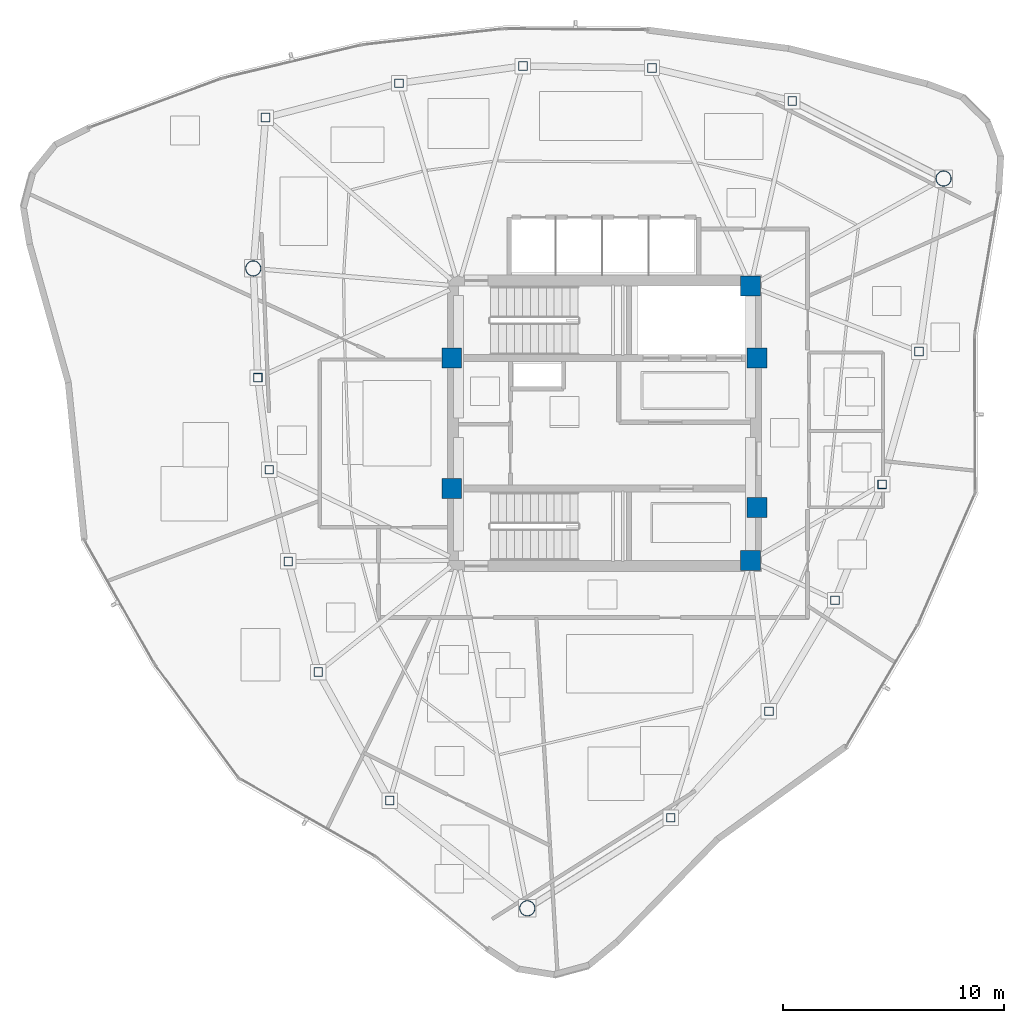
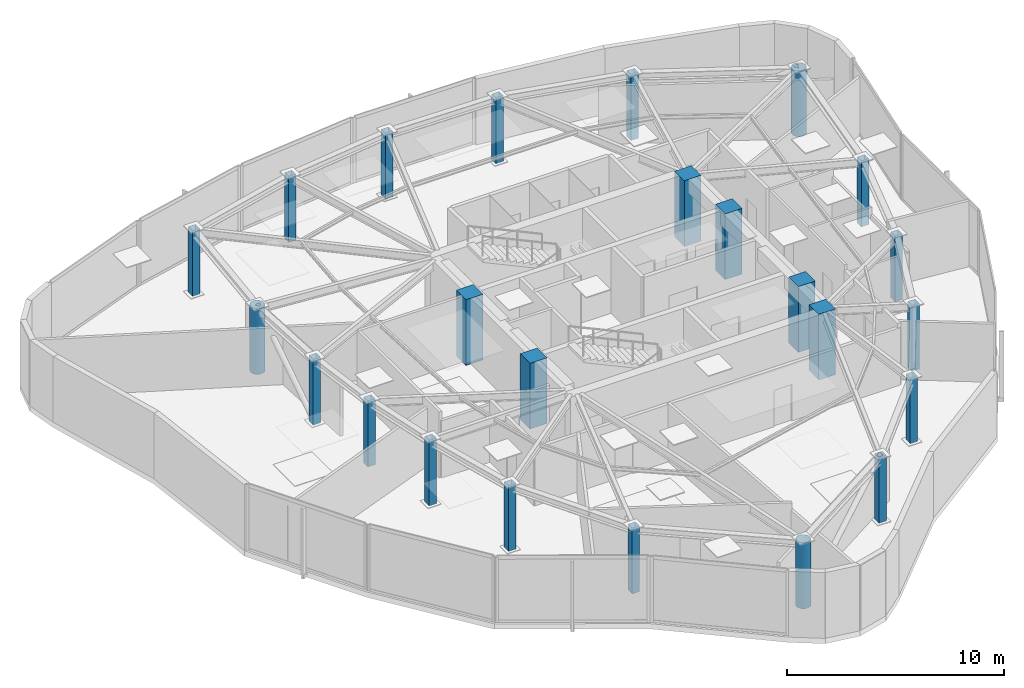
# One storey, part 1 of 11: 24 columns.
"""IFC4 building model written with IfcOpenShell, lengths in metres."""

import ifcopenshell
import ifcopenshell.guid

model = None  # the IFC model being written
_history = None  # IfcOwnerHistory: only IFC2X3 demands one
_inside = {}  # id of a spatial element -> (the spatial element, [elements in it])
_under = {}  # id of a project, library or spatial element -> (it, [spatial elements below it])
_declared = {}  # id of a project -> (the project, [libraries it declares])
_typed = {}  # id of a type object -> (the type object, [elements of that type])
_made_of = {}  # id of a material, layer set ... -> (it, [elements and type objects made of it])


def new_model(schema):
    """Start an empty IFC model of exactly this schema.

    Asked for "IFC4X3", IfcOpenShell would pick the latest addendum, in which some entities
    have other attributes; the version numbers below select the first issue.
    IFC2X3 requires an IfcOwnerHistory on every rooted entity: one is made here for all.
    """
    global model, _history
    if schema == "IFC4X3":
        model = ifcopenshell.file(schema_version=(4, 3, 0, 0))
    else:
        model = ifcopenshell.file(schema=schema)
    _inside.clear()
    _under.clear()
    _declared.clear()
    _typed.clear()
    _made_of.clear()
    _history = None
    if model.schema == "IFC2X3":
        org = make("IfcOrganization", Name="unknown")
        user = make(
            "IfcPersonAndOrganization",
            ThePerson=make("IfcPerson", FamilyName="unknown"),
            TheOrganization=org,
        )
        app = make(
            "IfcApplication",
            ApplicationDeveloper=org,
            Version="unknown",
            ApplicationFullName="unknown",
            ApplicationIdentifier="unknown",
        )
        _history = make(
            "IfcOwnerHistory",
            OwningUser=user,
            OwningApplication=app,
            ChangeAction="ADDED",
            CreationDate=0,
        )
    return model


def make(cls, **values):
    """One entity of the class cls with the attributes given. An attribute that is None is left unset."""
    return model.create_entity(
        cls, **{name: value for name, value in values.items() if value is not None}
    )


def rooted(cls, **values):
    """An entity with a GlobalId (a new one), such as an element, a storey or a relation."""
    return make(cls, GlobalId=ifcopenshell.guid.new(), OwnerHistory=_history, **values)


def si_unit(unit_type, name, prefix=None):
    """IfcSIUnit, for example si_unit("LENGTHUNIT", "METRE", prefix="MILLI")."""
    return make("IfcSIUnit", UnitType=unit_type, Prefix=prefix, Name=name)


def assignment(units):
    """IfcUnitAssignment: the units of a project."""
    return None if units is None else make("IfcUnitAssignment", Units=units)


def point(xyz):
    """IfcCartesianPoint."""
    return None if xyz is None else make("IfcCartesianPoint", Coordinates=xyz)


def direction(xyz):
    """IfcDirection."""
    return None if xyz is None else make("IfcDirection", DirectionRatios=xyz)


def frame(location, z_axis=None, x_axis=None):
    """IfcAxis2Placement3D, a coordinate frame: its origin and axes. An axis left out is left unset."""
    return make(
        "IfcAxis2Placement3D",
        Location=point(location),
        Axis=direction(z_axis),
        RefDirection=direction(x_axis),
    )


def frame_2d(location, x_axis=None):
    """IfcAxis2Placement2D, a coordinate frame in the plane: its origin and x axis."""
    return make(
        "IfcAxis2Placement2D", Location=point(location), RefDirection=direction(x_axis)
    )


def origin():
    """The frame at (0, 0, 0) with its axes left unset."""
    return frame((0.0, 0.0, 0.0))


def origin_2d():
    """The frame at (0, 0) in the plane with its x axis left unset."""
    return frame_2d((0.0, 0.0))


def place(relative_to, where):
    """IfcLocalPlacement: puts the frame where relative to a parent placement (None: the world)."""
    return make(
        "IfcLocalPlacement", PlacementRelTo=relative_to, RelativePlacement=where
    )


def context(
    kind, dimensions, precision=None, world=None, true_north=None, identifier=None
):
    """IfcGeometricRepresentationContext, for example the 3D "Model" context."""
    return make(
        "IfcGeometricRepresentationContext",
        ContextIdentifier=identifier,
        ContextType=kind,
        CoordinateSpaceDimension=dimensions,
        Precision=precision,
        WorldCoordinateSystem=world,
        TrueNorth=true_north,
    )


def subcontext(parent, identifier, kind, view, scale=None):
    """IfcGeometricRepresentationSubContext, for example "Body" below "Model"."""
    return make(
        "IfcGeometricRepresentationSubContext",
        ContextIdentifier=identifier,
        ContextType=kind,
        ParentContext=parent,
        TargetScale=scale,
        TargetView=view,
    )


def project(units=None, contexts=None):
    """IfcProject with its units and contexts."""
    return rooted(
        "IfcProject",
        Name="project",
        RepresentationContexts=contexts,
        UnitsInContext=assignment(units),
    )


def spatial(cls, under=None, at=None, **own):
    """A site, building, storey or space (cls), placed at a placement, below another one or the project."""
    s = rooted(cls, ObjectPlacement=at, **own)
    if under is not None:
        _under.setdefault(under.id(), (under, []))[1].append(s)
    return s


def profile(cls, at=None, kind="AREA", **sizes):
    """A parametric profile (cls). Its sizes go by their IFC names, for example OverallWidth=200.0."""
    return make(cls, ProfileType=kind, Position=at, **sizes)


def rectangle(**sizes):
    """IfcRectangleProfileDef."""
    return profile("IfcRectangleProfileDef", **sizes)


def hollow_rectangle(**sizes):
    """IfcRectangleHollowProfileDef."""
    return profile("IfcRectangleHollowProfileDef", **sizes)


def hollow_circle(**sizes):
    """IfcCircleHollowProfileDef."""
    return profile("IfcCircleHollowProfileDef", **sizes)


def extrude(swept, where, along, depth):
    """IfcExtrudedAreaSolid: the profile swept, set in the frame where, extruded along a direction by depth."""
    return make(
        "IfcExtrudedAreaSolid",
        SweptArea=swept,
        Position=where,
        ExtrudedDirection=direction(along),
        Depth=depth,
    )


def shape(context_of_items, identifier, shape_type, items):
    """IfcShapeRepresentation: the items that make up one representation, for example the "Body"."""
    return make(
        "IfcShapeRepresentation",
        ContextOfItems=context_of_items,
        RepresentationIdentifier=identifier,
        RepresentationType=shape_type,
        Items=items,
    )


def material(Name=None, Category=None):
    """IfcMaterial."""
    return make("IfcMaterial", Name=Name, Category=Category)


def material_profile(
    of_material, cross_section, Name=None, Category=None, Priority=None
):
    """IfcMaterialProfile: a cross section and its material."""
    return make(
        "IfcMaterialProfile",
        Name=Name,
        Material=of_material,
        Profile=cross_section,
        Priority=Priority,
        Category=Category,
    )


def profile_set(profiles, Name=None, composite=None):
    """IfcMaterialProfileSet."""
    return make(
        "IfcMaterialProfileSet",
        Name=Name,
        MaterialProfiles=profiles,
        CompositeProfile=composite,
    )


def made_of(thing, what):
    """Note that an element or type object is made of a material, layer set ...; save() writes the relation."""
    if what is not None:
        _made_of.setdefault(what.id(), (what, []))[1].append(thing)
    return thing


def type_object(cls, material=None, **own):
    """A type object (cls), such as IfcWallType, which elements share."""
    return made_of(rooted(cls, **own), material)


def element(
    cls,
    number,
    at=None,
    inside=None,
    cuts=None,
    type_object=None,
    material=None,
    context=None,
    identifier="Body",
    shape_type=None,
    held_by="IfcProductDefinitionShape",
    body=None,
    shapes=None,
    **own,
):
    """One element of the class cls, such as IfcWall. Its Tag is "e" and its number.

    at: its placement. inside: the storey or other place that contains it. cuts: it is an
    opening in that element (IfcRelVoidsElement). A single representation is given by context,
    identifier, shape_type and body (its items); several are given by shapes. held_by: the class
    of the entity that holds the representations. save() writes the other relations.
    """
    e = rooted(cls, Tag="e%d" % number, ObjectPlacement=at, **own)
    if body is not None:
        shapes = [shape(context, identifier, shape_type, body)]
    if shapes is not None:
        e.Representation = make(held_by, Representations=shapes)
    if inside is not None:
        _inside.setdefault(inside.id(), (inside, []))[1].append(e)
    if cuts is not None:
        rooted(
            "IfcRelVoidsElement", RelatingBuildingElement=cuts, RelatedOpeningElement=e
        )
    if type_object is not None:
        _typed.setdefault(type_object.id(), (type_object, []))[1].append(e)
    return made_of(e, material)


def aggregate(whole, parts):
    """IfcRelAggregates: a whole, such as a stair, and the parts it consists of."""
    return rooted("IfcRelAggregates", RelatingObject=whole, RelatedObjects=parts)


def save(model, path):
    """Write the relations noted so far, then the file.

    IfcRelAggregates (storeys below a building ...), IfcRelContainedInSpatialStructure (elements
    in a storey), IfcRelDefinesByType, IfcRelAssociatesMaterial and IfcRelDeclares: one each for
    every whole, place, type object, material and project.
    """
    for whole, parts in _under.values():
        aggregate(whole, parts)
    for where, things in _inside.values():
        rooted(
            "IfcRelContainedInSpatialStructure",
            RelatedElements=things,
            RelatingStructure=where,
        )
    for kind, things in _typed.values():
        rooted("IfcRelDefinesByType", RelatedObjects=things, RelatingType=kind)
    for what, things in _made_of.values():
        rooted("IfcRelAssociatesMaterial", RelatedObjects=things, RelatingMaterial=what)
    for by, libraries in _declared.values():
        rooted("IfcRelDeclares", RelatingContext=by, RelatedDefinitions=libraries)
    model.write(path)


model = new_model("IFC4")

# Units and contexts
model_context = context("Model", 3, precision=1e-05, world=origin(), true_north=direction((0.0, 1.0)))
body_context = subcontext(model_context, "Body", "Model", "MODEL_VIEW")
ifc_project = project(units=[si_unit("LENGTHUNIT", "METRE"), si_unit("AREAUNIT", "SQUARE_METRE"), si_unit("VOLUMEUNIT", "CUBIC_METRE"), si_unit("PLANEANGLEUNIT", "RADIAN"), si_unit("MASSUNIT", "GRAM", prefix="KILO")], contexts=[model_context])

# Site, building, storey
site_placement = place(None, origin())
site = spatial("IfcSite", under=ifc_project, at=site_placement, CompositionType="ELEMENT")
building_placement = place(site_placement, origin())
building = spatial("IfcBuilding", under=site, at=building_placement, Name="Tavelor Broadcast Tower", CompositionType="ELEMENT")
storey_placement = place(building_placement, frame((0.0, 0.0, 309.5)))
storey = spatial("IfcBuildingStorey", under=building, at=storey_placement, Name="L74", CompositionType="ELEMENT", Elevation=309.5)

# Columns
ifc_material_1 = material(Name="Concrete C50/60", Category="concrete")
ifc_material_profile_1 = material_profile(ifc_material_1, rectangle(XDim=0.89990234375, YDim=0.89990234375, at=origin_2d()), Name="RC 900x900")
ifc_profile_set_1 = profile_set([ifc_material_profile_1], Name="Concrete C50/60")
column_type_1 = type_object("IfcColumnType", Name="Core Embedded Composite Column RC900", PredefinedType="COLUMN", material=ifc_profile_set_1)
for number, where, z_axis, x_axis, name in (
    (1, (43.10009765625, 47.949951171875, 0.0), (0.0, 0.0, 1.0), (1.0, 0.0, 0.0), "L74 Core Embedded Column 1"),
    (2, (56.89990234375, 47.949951171875, 0.0), (0.0, 0.0, 1.0), (1.0, 0.0, 0.0), "L74 Core Embedded Column 2"),
    (3, (56.60009765625, 51.199951171875, 0.0), (0.0, 0.0, 1.0), (1.0, 0.0, 0.0), "L74 Core Embedded Column 3"),
    (4, (43.10009765625, 42.050048828125, 0.0), (0.0, 0.0, 1.0), (1.0, 0.0, 0.0), "L74 Core Embedded Column 4"),
    (5, (56.89990234375, 41.199951171875, 0.0), (0.0, 0.0, 1.0), (1.0, 0.0, 0.0), "L74 Core Embedded Column 5"),
    (6, (56.60009765625, 38.800048828125, 0.0), (0.0, 0.0, 1.0), (1.0, 0.0, 0.0), "L74 Core Embedded Column 6"),
):
    element("IfcColumn", number, at=place(storey_placement, frame(where, z_axis=z_axis, x_axis=x_axis)), inside=storey, type_object=column_type_1, Name=name, PredefinedType="COLUMN", context=body_context, shape_type="SweptSolid", body=[
        extrude(rectangle(XDim=0.89990234375, YDim=0.89990234375, at=origin_2d()), origin(), (0.0, 0.0, 1.0), 3.699951171875),
    ])
ifc_material_2 = material(Name="Steel S460", Category="steel")
ifc_material_profile_2 = material_profile(ifc_material_2, hollow_rectangle(XDim=0.39990234375, YDim=0.39990234375, WallThickness=0.02490234375, at=origin_2d()), Name="SHS 400x400x25")
ifc_profile_set_2 = profile_set([ifc_material_profile_2], Name="Steel S460")
column_type_2 = type_object("IfcColumnType", Name="Perimeter Tube Column T8 SHS 400x400x25", PredefinedType="COLUMN", material=ifc_profile_set_2)
for number, where, z_axis, x_axis, name in (
    (7, (34.341552734375, 47.061279296875, 0.0), (0.0, 0.0, 1.0), (1.0, 0.0, 0.0), "L74 Perimeter Framed-Tube Column 02"),
    (8, (34.85400390625, 42.90185546875, 0.0), (0.0, 0.0, 1.0), (1.0, 0.0, 0.0), "L74 Perimeter Framed-Tube Column 03"),
    (9, (35.716552734375, 38.757080078125, 0.0), (0.0, 0.0, 1.0), (1.0, 0.0, 0.0), "L74 Perimeter Framed-Tube Column 04"),
    (10, (37.068115234375, 33.759521484375, 0.0), (0.0, 0.0, 1.0), (1.0, 0.0, 0.0), "L74 Perimeter Framed-Tube Column 05"),
    (11, (40.29638671875, 27.95361328125, 0.0), (0.0, 0.0, 1.0), (1.0, 0.0, 0.0), "L74 Perimeter Framed-Tube Column 06"),
    (12, (52.992919921875, 27.1767578125, 0.0), (0.0, 0.0, 1.0), (1.0, 0.0, 0.0), "L74 Perimeter Framed-Tube Column 08"),
    (13, (57.431396484375, 31.9921875, 0.0), (0.0, 0.0, 1.0), (1.0, 0.0, 0.0), "L74 Perimeter Framed-Tube Column 09"),
    (14, (60.41748046875, 37.00439453125, 0.0), (0.0, 0.0, 1.0), (1.0, 0.0, 0.0), "L74 Perimeter Framed-Tube Column 10"),
    (15, (62.543701171875, 42.240478515625, 0.0), (0.0, 0.0, 1.0), (1.0, 0.0, 0.0), "L74 Perimeter Framed-Tube Column 11"),
    (16, (64.21435546875, 48.2373046875, 0.0), (0.0, 0.0, 1.0), (1.0, 0.0, 0.0), "L74 Perimeter Framed-Tube Column 12"),
    (17, (58.485595703125, 59.55712890625, 0.0), (0.0, 0.0, 1.0), (1.0, 0.0, 0.0), "L74 Perimeter Framed-Tube Column 14"),
    (18, (52.147216796875, 61.05078125, 0.0), (0.0, 0.0, 1.0), (1.0, 0.0, 0.0), "L74 Perimeter Framed-Tube Column 15"),
    (19, (46.3154296875, 61.13720703125, 0.0), (0.0, 0.0, 1.0), (1.0, 0.0, 0.0), "L74 Perimeter Framed-Tube Column 16"),
    (20, (40.718017578125, 60.36083984375, 0.0), (0.0, 0.0, 1.0), (1.0, 0.0, 0.0), "L74 Perimeter Framed-Tube Column 17"),
    (21, (34.689208984375, 58.80908203125, 0.0), (0.0, 0.0, 1.0), (1.0, 0.0, 0.0), "L74 Perimeter Framed-Tube Column 18"),
):
    element("IfcColumn", number, at=place(storey_placement, frame(where, z_axis=z_axis, x_axis=x_axis)), inside=storey, type_object=column_type_2, Name=name, PredefinedType="COLUMN", context=body_context, shape_type="SweptSolid", body=[
        extrude(hollow_rectangle(XDim=0.39990234375, YDim=0.39990234375, WallThickness=0.02490234375, at=origin_2d()), origin(), (0.0, 0.0, 1.0), 3.699951171875),
    ])
ifc_material_profile_3 = material_profile(ifc_material_2, hollow_circle(Radius=0.35546875, WallThickness=0.031982421875, at=origin_2d()), Name="CHS 711x32")
ifc_profile_set_3 = profile_set([ifc_material_profile_3], Name="Steel S460")
column_type_3 = type_object("IfcColumnType", Name="Tower Mega Column T8 CHS 711x32", PredefinedType="COLUMN", material=ifc_profile_set_3)
for number, where, z_axis, x_axis, name in (
    (22, (34.134765625, 51.995849609375, 0.0), (0.0, 0.0, 1.0), (1.0, 0.0, 0.0), "L74 Tower Corner Mega Column 01"),
    (23, (46.5146484375, 23.08740234375, 0.0), (0.0, 0.0, 1.0), (1.0, 0.0, 0.0), "L74 Tower Corner Mega Column 07"),
    (24, (65.319580078125, 56.0556640625, 0.0), (0.0, 0.0, 1.0), (1.0, 0.0, 0.0), "L74 Tower Corner Mega Column 13"),
):
    element("IfcColumn", number, at=place(storey_placement, frame(where, z_axis=z_axis, x_axis=x_axis)), inside=storey, type_object=column_type_3, Name=name, PredefinedType="COLUMN", context=body_context, shape_type="SweptSolid", body=[
        extrude(hollow_circle(Radius=0.35546875, WallThickness=0.031982421875, at=origin_2d()), origin(), (0.0, 0.0, 1.0), 3.699951171875),
    ])

save(model, "model.ifc")
